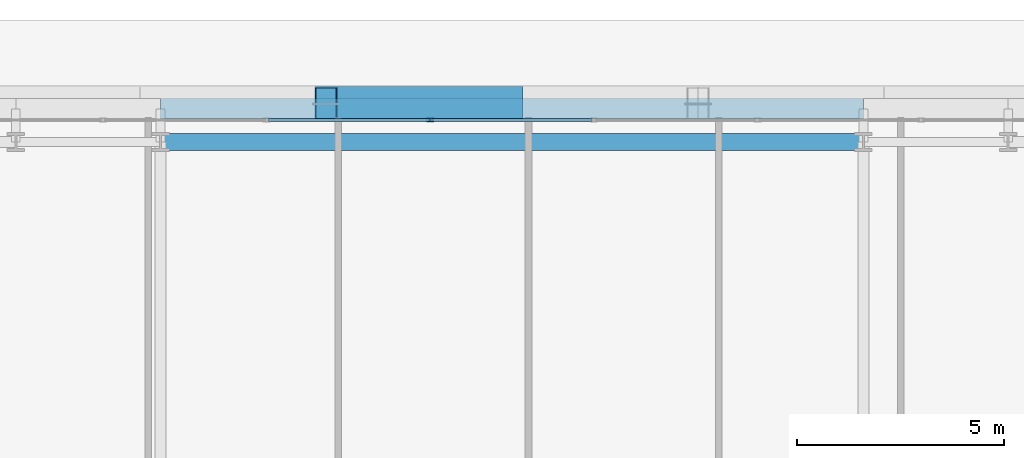
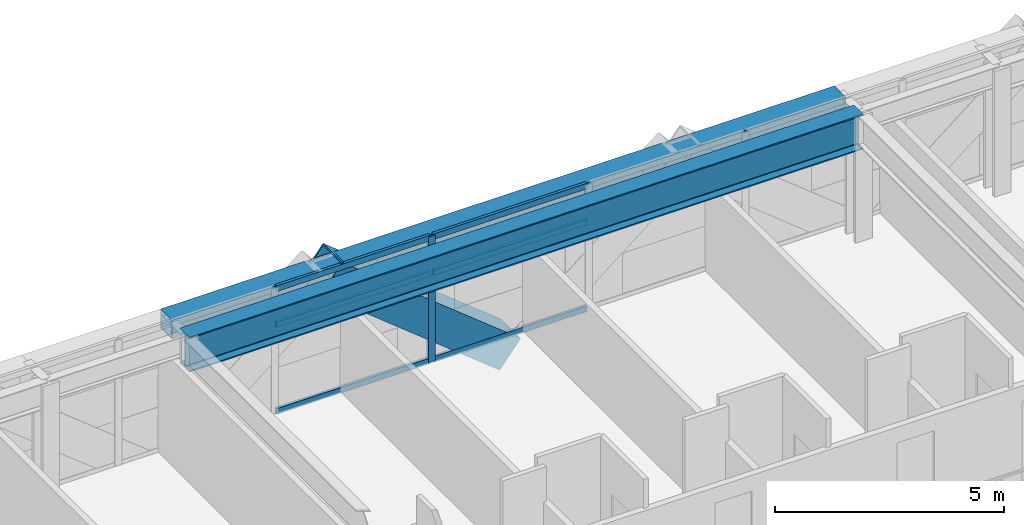
# One storey, part 17 of 35: 8 members, 2 beams, 1 element without a shape of its own.
"""IFC4 building model written with IfcOpenShell, lengths in metres."""

from ifc_helpers import new_model, si_unit, direction, frame, origin, origin_2d, place, context, subcontext, project, spatial, hollow_rectangle, i_section, extrude, source, transform, mapped, material, layer, layer_set, material_profile, profile_set, type_object, element, aggregate, save


model = new_model("IFC4")

# Units and contexts
model_context = context("Model", 3, precision=1e-05, world=origin(), true_north=direction((0.0, 1.0)))
body_context = subcontext(model_context, "Body", "Model", "MODEL_VIEW")
ifc_project = project(units=[si_unit("LENGTHUNIT", "METRE"), si_unit("AREAUNIT", "SQUARE_METRE"), si_unit("VOLUMEUNIT", "CUBIC_METRE"), si_unit("PLANEANGLEUNIT", "RADIAN"), si_unit("MASSUNIT", "GRAM", prefix="KILO")], contexts=[model_context])

# Site, building, storey
site_placement = place(None, origin())
site = spatial("IfcSite", under=ifc_project, at=site_placement, CompositionType="ELEMENT")
building_placement = place(site_placement, origin())
building = spatial("IfcBuilding", under=site, at=building_placement, Name="Ocotamira Hotel", CompositionType="ELEMENT")
storey_placement = place(building_placement, frame((0.0, 0.0, 34.800048828125)))
storey = spatial("IfcBuildingStorey", under=building, at=storey_placement, Name="L07", CompositionType="ELEMENT", Elevation=34.800048828125)

# Beams
ifc_material_1 = material(Name="Steel ASTM A992 Grade 50", Category="steel")
ifc_material_profile_1 = material_profile(ifc_material_1, i_section(OverallWidth=0.41796875, OverallDepth=0.927001953125, WebThickness=0.019287109375, FlangeThickness=0.031982421875, FilletRadius=0.02392578125, at=origin_2d()), Name="W36X231")
ifc_profile_set_1 = profile_set([ifc_material_profile_1], Name="Steel ASTM A992 Grade 50")
beam_type_1 = type_object("IfcBeamType", Name="BM-GIRD-W36X231", PredefinedType="BEAM", material=ifc_profile_set_1)
shared_shape_1 = source(origin(), body_context, "Body", "SweptSolid", [
    extrude(i_section(OverallWidth=0.41796875, OverallDepth=0.927001953125, WebThickness=0.019287109375, FlangeThickness=0.031982421875, FilletRadius=0.02392578125, at=origin_2d()), origin(), (0.0, 0.0, 1.0), 17.0),
])
beam_1_placement = place(storey_placement, frame((23.5, 49.050048828125, 2.886474609375), z_axis=(1.0, 0.0, 0.0), x_axis=(0.0, 1.0, 0.0)))
element("IfcBeam", 1, at=beam_1_placement, inside=storey, type_object=beam_type_1, Name="L07 Girder Y49.05 X23.5-40.5", PredefinedType="BEAM", context=body_context, shape_type="MappedRepresentation", body=[
    mapped(shared_shape_1, transform((0.0, 0.0, 0.0), scale=1.0)),
])
ifc_material_2 = material(Name="Steel ASTM A500 Grade C", Category="steel")
ifc_material_profile_2 = material_profile(ifc_material_2, hollow_rectangle(XDim=0.5, YDim=0.5, WallThickness=0.02001953125, at=origin_2d()), Name="HSS500X500X20")
ifc_profile_set_2 = profile_set([ifc_material_profile_2], Name="Steel ASTM A500 Grade C")
beam_type_2 = type_object("IfcBeamType", Name="BM-SPAN-HSS500", PredefinedType="USERDEFINED", material=ifc_profile_set_2)
shared_shape_2 = source(origin(), body_context, "Body", "SweptSolid", [
    extrude(hollow_rectangle(XDim=0.5, YDim=0.5, WallThickness=0.02001953125, at=origin_2d()), origin(), (0.0, 0.0, 1.0), 17.0),
])
beam_2_placement = place(storey_placement, frame((23.5, 49.85009765625, 3.099853515625), z_axis=(1.0, 0.0, 0.0), x_axis=(0.0, 1.0, 0.0)))
element("IfcBeam", 2, at=beam_2_placement, inside=storey, type_object=beam_type_2, Name="L07 Edge Spandrel N X23.5-40.5", ObjectType="SPANDREL", PredefinedType="USERDEFINED", context=body_context, shape_type="MappedRepresentation", body=[
    mapped(shared_shape_2, transform((0.0, 0.0, 0.0), scale=1.0)),
])

# Member
ifc_material_3 = material(Name="Pale-metal coated steel ASTM A913 Grade 65", Category="steel")
ifc_material_profile_3 = material_profile(ifc_material_3, hollow_rectangle(XDim=0.85009765625, YDim=0.85009765625, WallThickness=0.035888671875, at=origin_2d()), Name="BOX850X850X36")
ifc_profile_set_3 = profile_set([ifc_material_profile_3], Name="Pale-metal coated steel ASTM A913 Grade 65")
member_type_1 = type_object("IfcMemberType", Name="MEM-EXO-BOX850", PredefinedType="BRACE", material=ifc_profile_set_3)
shared_shape_3 = source(origin(), body_context, "Body", "SweptSolid", [
    extrude(hollow_rectangle(XDim=0.85009765625, YDim=0.85009765625, WallThickness=0.035888671875, at=origin_2d()), origin(), (0.0, 0.0, 1.0), 5.7626953125),
])
member_1_placement = place(storey_placement, frame((32.0, 49.969970703125, -0.5), z_axis=(-0.780881208953, 0.0, 0.624679547852), x_axis=(0.0, -1.0, 0.0)))
element("IfcMember", 3, at=member_1_placement, inside=storey, type_object=member_type_1, Name="L07 Exoskeleton Diagrid N1.2", PredefinedType="BRACE", context=body_context, shape_type="MappedRepresentation", body=[
    mapped(shared_shape_3, transform((0.0, 0.0, 0.0), scale=1.0)),
])

# Curtain wall, members
ifc_material_4 = material(Name="Anodised pale-metal aluminium and solar glass", Category="aluminium")
ifc_layer = layer(ifc_material_4, 0.179931640625)
ifc_layer_set = layer_set([ifc_layer], Name="Anodised pale-metal aluminium and solar glass")
curtain_wall_type = type_object("IfcCurtainWallType", Name="CW-SYS2-Z1", PredefinedType="NOTDEFINED", material=ifc_layer_set)
curtain_wall_placement = place(storey_placement, origin())
curtain_wall = element("IfcCurtainWall", 4, at=curtain_wall_placement, inside=storey, type_object=curtain_wall_type, Name="L07 Curtain Wall CW-2 CW-L07-N", PredefinedType="NOTDEFINED")
ifc_material_5 = material(Name="Anodised pale-metal aluminium 6063-T6", Category="aluminium")
ifc_material_profile_4 = material_profile(ifc_material_5, hollow_rectangle(XDim=0.080078125, YDim=0.179931640625, WallThickness=0.006103515625, at=origin_2d()), Name="HSS180X80X6")
ifc_profile_set_4 = profile_set([ifc_material_profile_4], Name="Anodised pale-metal aluminium 6063-T6")
member_type_2 = type_object("IfcMemberType", Name="CWM-180X75", PredefinedType="MULLION", material=ifc_profile_set_4)
shared_shape_4 = source(origin(), body_context, "Body", "SweptSolid", [
    extrude(hollow_rectangle(XDim=0.080078125, YDim=0.179931640625, WallThickness=0.006103515625, at=origin_2d()), origin(), (0.0, 0.0, 1.0), 3.349853515625),
])
member_2_placement = place(storey_placement, frame((30.022216796875, 49.580078125, 0.0), z_axis=(0.0, 0.0, 1.0), x_axis=(0.0, 1.0, 0.0)))
member_2 = element("IfcMember", 5, at=member_2_placement, type_object=member_type_2, Name="CW-2 mullion 5", PredefinedType="MULLION", context=body_context, shape_type="MappedRepresentation", body=[
    mapped(shared_shape_4, transform((0.0, 0.0, 0.0), scale=1.0)),
])
ifc_material_profile_5 = material_profile(ifc_material_5, hollow_rectangle(XDim=0.074951171875, YDim=0.14990234375, WallThickness=0.006103515625, at=origin_2d()), Name="HSS150X75X6")
ifc_profile_set_5 = profile_set([ifc_material_profile_5], Name="Anodised pale-metal aluminium 6063-T6")
member_type_3 = type_object("IfcMemberType", Name="CWT-150X75", PredefinedType="USERDEFINED", material=ifc_profile_set_5)
shared_shape_5 = source(origin(), body_context, "Body", "SweptSolid", [
    extrude(hollow_rectangle(XDim=0.074951171875, YDim=0.14990234375, WallThickness=0.006103515625, at=origin_2d()), origin(), (0.0, 0.0, 1.0), 3.87548828125),
])
member_3_placement = place(storey_placement, frame((26.106689453125, 49.580078125, 0.037353515625), z_axis=(1.0, 0.0, 0.0), x_axis=(0.0, 1.0, 0.0)))
member_3 = element("IfcMember", 6, at=member_3_placement, type_object=member_type_3, Name="CW-2 transom 4.1", ObjectType="TRANSOM", PredefinedType="USERDEFINED", context=body_context, shape_type="MappedRepresentation", body=[
    mapped(shared_shape_5, transform((0.0, 0.0, 0.0), scale=1.0)),
])
member_4_placement = place(storey_placement, frame((26.106689453125, 49.580078125, 2.349853515625), z_axis=(1.0, 0.0, 0.0), x_axis=(0.0, 1.0, 0.0)))
member_4 = element("IfcMember", 7, at=member_4_placement, type_object=member_type_3, Name="CW-2 transom 4.2", ObjectType="TRANSOM", PredefinedType="USERDEFINED", context=body_context, shape_type="MappedRepresentation", body=[
    mapped(shared_shape_5, transform((0.0, 0.0, 0.0), scale=1.0)),
])
member_5_placement = place(storey_placement, frame((26.106689453125, 49.580078125, 3.3125), z_axis=(1.0, 0.0, 0.0), x_axis=(0.0, 1.0, 0.0)))
member_5 = element("IfcMember", 8, at=member_5_placement, type_object=member_type_3, Name="CW-2 transom 4.3", ObjectType="TRANSOM", PredefinedType="USERDEFINED", context=body_context, shape_type="MappedRepresentation", body=[
    mapped(shared_shape_5, transform((0.0, 0.0, 0.0), scale=1.0)),
])
member_6_placement = place(storey_placement, frame((30.062255859375, 49.580078125, 0.037353515625), z_axis=(1.0, 0.0, 0.0), x_axis=(0.0, 1.0, 0.0)))
member_6 = element("IfcMember", 9, at=member_6_placement, type_object=member_type_3, Name="CW-2 transom 5.1", ObjectType="TRANSOM", PredefinedType="USERDEFINED", context=body_context, shape_type="MappedRepresentation", body=[
    mapped(shared_shape_5, transform((0.0, 0.0, 0.0), scale=1.0)),
])
member_7_placement = place(storey_placement, frame((30.062255859375, 49.580078125, 2.349853515625), z_axis=(1.0, 0.0, 0.0), x_axis=(0.0, 1.0, 0.0)))
member_7 = element("IfcMember", 10, at=member_7_placement, type_object=member_type_3, Name="CW-2 transom 5.2", ObjectType="TRANSOM", PredefinedType="USERDEFINED", context=body_context, shape_type="MappedRepresentation", body=[
    mapped(shared_shape_5, transform((0.0, 0.0, 0.0), scale=1.0)),
])
member_8_placement = place(storey_placement, frame((30.062255859375, 49.580078125, 3.3125), z_axis=(1.0, 0.0, 0.0), x_axis=(0.0, 1.0, 0.0)))
member_8 = element("IfcMember", 11, at=member_8_placement, type_object=member_type_3, Name="CW-2 transom 5.3", ObjectType="TRANSOM", PredefinedType="USERDEFINED", context=body_context, shape_type="MappedRepresentation", body=[
    mapped(shared_shape_5, transform((0.0, 0.0, 0.0), scale=1.0)),
])
aggregate(curtain_wall, [member_2, member_3, member_4, member_5, member_6, member_7, member_8])

save(model, "model.ifc")
